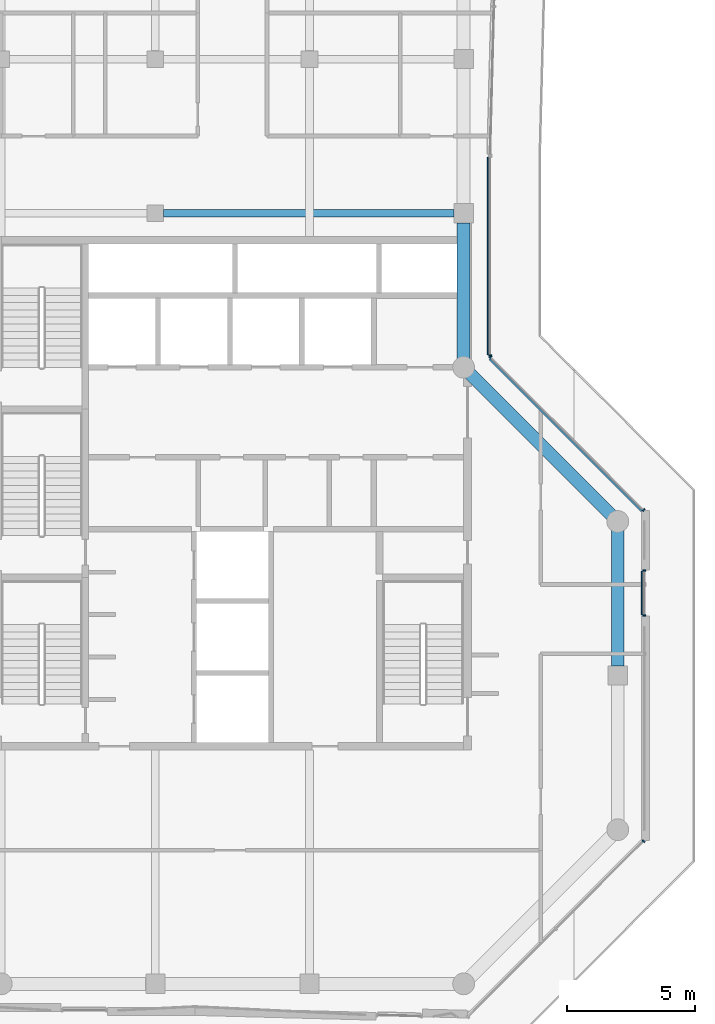
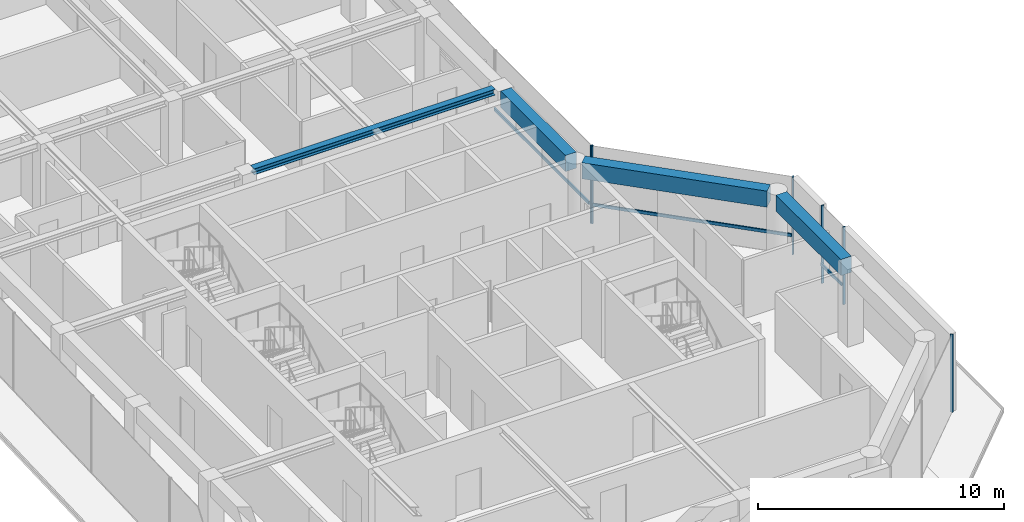
# One storey, part 5 of 18: 9 members, 4 beams, 4 elements without a shape of their own.
"""IFC4 building model written with IfcOpenShell, lengths in metres."""

from ifc_helpers import new_model, si_unit, direction, frame, origin, origin_2d, place, context, subcontext, project, spatial, rectangle, i_section, extrude, material, layer, layer_set, material_profile, profile_set, type_object, element, aggregate, save


model = new_model("IFC4")

# Units and contexts
model_context = context("Model", 3, precision=1e-05, world=origin(), true_north=direction((0.0, 1.0)))
body_context = subcontext(model_context, "Body", "Model", "MODEL_VIEW")
ifc_project = project(units=[si_unit("LENGTHUNIT", "METRE"), si_unit("AREAUNIT", "SQUARE_METRE"), si_unit("VOLUMEUNIT", "CUBIC_METRE"), si_unit("PLANEANGLEUNIT", "RADIAN"), si_unit("MASSUNIT", "GRAM", prefix="KILO")], contexts=[model_context])

# Site, building, storey
site_placement = place(None, origin())
site = spatial("IfcSite", under=ifc_project, at=site_placement, CompositionType="ELEMENT")
building_placement = place(site_placement, origin())
building = spatial("IfcBuilding", under=site, at=building_placement, Name="Welwitschia Terrace Campus", CompositionType="ELEMENT")
storey_placement = place(building_placement, frame((0.0, 0.0, 281.0)))
storey = spatial("IfcBuildingStorey", under=building, at=storey_placement, Name="L62", CompositionType="ELEMENT", Elevation=281.0)

# Beam
ifc_material_1 = material(Name="Steel S355", Category="steel")
ifc_material_profile_1 = material_profile(ifc_material_1, i_section(OverallWidth=0.300048828125, OverallDepth=0.300048828125, WebThickness=0.010986328125, FlangeThickness=0.01904296875, FilletRadius=0.027099609375, at=origin_2d()))
ifc_profile_set_1 = profile_set([ifc_material_profile_1], Name="Steel S355")
beam_type_1 = type_object("IfcBeamType", Name="Interior girder HE 300 B", PredefinedType="BEAM", material=ifc_profile_set_1)
beam_1_placement = place(storey_placement, frame((12.325439453125, 26.0, 3.699951171875), z_axis=(1.0, 0.0, 0.0), x_axis=(0.0, 1.0, 0.0)))
element("IfcBeam", 1, at=beam_1_placement, inside=storey, type_object=beam_type_1, Name="Girder GB6", PredefinedType="BEAM", context=body_context, shape_type="SweptSolid", body=[
    extrude(i_section(OverallWidth=0.300048828125, OverallDepth=0.300048828125, WebThickness=0.010986328125, FlangeThickness=0.01904296875, FilletRadius=0.027099609375, at=origin_2d()), origin(), (0.0, 0.0, 1.0), 11.30908203125),
])

# Curtain wall, member
ifc_material_2 = material(Name="Bronze anodised aluminium", Category="aluminium")
ifc_layer = layer(ifc_material_2, 0.1201171875)
ifc_layer_set = layer_set([ifc_layer], Name="Bronze anodised aluminium")
curtain_wall_type = type_object("IfcCurtainWallType", Name="Curtain wall CW2 tower 6000", PredefinedType="NOTDEFINED", material=ifc_layer_set)
curtain_wall_1_placement = place(storey_placement, origin())
curtain_wall_1 = element("IfcCurtainWall", 2, at=curtain_wall_1_placement, inside=storey, type_object=curtain_wall_type, Name="CW L62.5.0", PredefinedType="NOTDEFINED")
ifc_material_3 = material(Name="Bronze anodised aluminium", Category="aluminium")
ifc_material_profile_2 = material_profile(ifc_material_3, rectangle(XDim=0.1201171875, YDim=0.06005859375, at=origin_2d()))
ifc_profile_set_2 = profile_set([ifc_material_profile_2], Name="Bronze anodised aluminium")
member_type_1 = type_object("IfcMemberType", Name="Mullion 60x120", PredefinedType="MULLION", material=ifc_profile_set_2)
member_1_placement = place(storey_placement, frame((31.0087890625, 1.55224609375, 0.0), z_axis=(0.0, 0.0, 1.0), x_axis=(-0.707106781187, 0.707106781187, 0.0)))
member_1 = element("IfcMember", 3, at=member_1_placement, type_object=member_type_1, Name="Mullion L62.5.0.2", PredefinedType="MULLION", context=body_context, shape_type="SweptSolid", body=[
    extrude(rectangle(XDim=0.1201171875, YDim=0.06005859375, at=origin_2d()), origin(), (0.0, 0.0, 1.0), 3.85009765625),
])
aggregate(curtain_wall_1, [member_1])

# Curtain wall, members
curtain_wall_2_placement = place(storey_placement, origin())
curtain_wall_2 = element("IfcCurtainWall", 4, at=curtain_wall_2_placement, inside=storey, type_object=curtain_wall_type, Name="CW L62.6.S0", PredefinedType="NOTDEFINED")
member_2_placement = place(storey_placement, frame((31.030029296875, 10.34326171875, 0.0), z_axis=(0.0, 0.0, 1.0), x_axis=(-1.0, 0.0, 0.0)))
member_2 = element("IfcMember", 5, at=member_2_placement, type_object=member_type_1, Name="Mullion L62.6.S0.0", PredefinedType="MULLION", context=body_context, shape_type="SweptSolid", body=[
    extrude(rectangle(XDim=0.1201171875, YDim=0.06005859375, at=origin_2d()), origin(), (0.0, 0.0, 1.0), 3.85009765625),
])
member_3_placement = place(storey_placement, frame((31.030029296875, 12.083251953125, 0.0), z_axis=(0.0, 0.0, 1.0), x_axis=(-1.0, 0.0, 0.0)))
member_3 = element("IfcMember", 6, at=member_3_placement, type_object=member_type_1, Name="Mullion L62.6.S0.1", PredefinedType="MULLION", context=body_context, shape_type="SweptSolid", body=[
    extrude(rectangle(XDim=0.1201171875, YDim=0.06005859375, at=origin_2d()), origin(), (0.0, 0.0, 1.0), 3.85009765625),
])

curtain_wall_3_placement = place(storey_placement, origin())
curtain_wall_3 = element("IfcCurtainWall", 7, at=curtain_wall_3_placement, inside=storey, type_object=curtain_wall_type, Name="CW L62.7.0", PredefinedType="NOTDEFINED")
member_4_placement = place(storey_placement, frame((31.0087890625, 14.44775390625, 0.0), z_axis=(0.0, 0.0, 1.0), x_axis=(-0.707106781187, -0.707106781187, 0.0)))
member_4 = element("IfcMember", 8, at=member_4_placement, type_object=member_type_1, Name="Mullion L62.7.0.0", PredefinedType="MULLION", context=body_context, shape_type="SweptSolid", body=[
    extrude(rectangle(XDim=0.1201171875, YDim=0.06005859375, at=origin_2d()), origin(), (0.0, 0.0, 1.0), 3.85009765625),
])
member_5_placement = place(storey_placement, frame((25.05126953125, 20.405517578125, 0.0), z_axis=(0.0, 0.0, 1.0), x_axis=(-0.707106781187, -0.707106781187, 0.0)))
member_5 = element("IfcMember", 9, at=member_5_placement, type_object=member_type_1, Name="Mullion L62.7.0.1", PredefinedType="MULLION", context=body_context, shape_type="SweptSolid", body=[
    extrude(rectangle(XDim=0.1201171875, YDim=0.06005859375, at=origin_2d()), origin(), (0.0, 0.0, 1.0), 3.85009765625),
])

# Curtain wall, member
curtain_wall_4_placement = place(storey_placement, origin())
curtain_wall_4 = element("IfcCurtainWall", 10, at=curtain_wall_4_placement, inside=storey, type_object=curtain_wall_type, Name="CW L62.8.0", PredefinedType="NOTDEFINED")
member_6_placement = place(storey_placement, frame((25.030029296875, 20.45654296875, 0.0), z_axis=(0.0, 0.0, 1.0), x_axis=(-1.0, 0.0, 0.0)))
member_6 = element("IfcMember", 11, at=member_6_placement, type_object=member_type_1, Name="Mullion L62.8.0.0", PredefinedType="MULLION", context=body_context, shape_type="SweptSolid", body=[
    extrude(rectangle(XDim=0.1201171875, YDim=0.06005859375, at=origin_2d()), origin(), (0.0, 0.0, 1.0), 3.85009765625),
])

# Beams
ifc_material_4 = material(Name="Concrete C50/60", Category="concrete")
ifc_material_profile_3 = material_profile(ifc_material_4, rectangle(XDim=0.5, YDim=0.800048828125, at=origin_2d()))
ifc_profile_set_3 = profile_set([ifc_material_profile_3], Name="Concrete C50/60")
beam_type_2 = type_object("IfcBeamType", Name="Ring spandrel 500x800", PredefinedType="SPANDREL", material=ifc_profile_set_3)
beam_2_placement = place(storey_placement, frame((30.0, 8.37548828125, 3.449951171875), z_axis=(0.0, 1.0, 0.0), x_axis=(-1.0, 0.0, 0.0)))
element("IfcBeam", 12, at=beam_2_placement, inside=storey, type_object=beam_type_2, Name="Spandrel SP4", PredefinedType="SPANDREL", context=body_context, shape_type="SweptSolid", body=[
    extrude(rectangle(XDim=0.5, YDim=0.800048828125, at=origin_2d()), origin(), (0.0, 0.0, 1.0), 5.280029296875),
])
beam_3_placement = place(storey_placement, frame((29.75634765625, 14.24365234375, 3.449951171875), z_axis=(-0.707106781187, 0.707106781187, 0.0), x_axis=(-0.707106781187, -0.707106781187, 0.0)))
element("IfcBeam", 13, at=beam_3_placement, inside=storey, type_object=beam_type_2, Name="Spandrel SP4", PredefinedType="SPANDREL", context=body_context, shape_type="SweptSolid", body=[
    extrude(rectangle(XDim=0.5, YDim=0.800048828125, at=origin_2d()), origin(), (0.0, 0.0, 1.0), 7.796142578125),
])
beam_4_placement = place(storey_placement, frame((24.0, 20.344482421875, 3.449951171875), z_axis=(0.0, 1.0, 0.0), x_axis=(-1.0, 0.0, 0.0)))
element("IfcBeam", 14, at=beam_4_placement, inside=storey, type_object=beam_type_2, Name="Spandrel SP4", PredefinedType="SPANDREL", context=body_context, shape_type="SweptSolid", body=[
    extrude(rectangle(XDim=0.5, YDim=0.800048828125, at=origin_2d()), origin(), (0.0, 0.0, 1.0), 5.280029296875),
])

# Member
ifc_material_5 = material(Name="Bronze anodised aluminium", Category="aluminium")
ifc_material_profile_4 = material_profile(ifc_material_5, rectangle(XDim=0.06005859375, YDim=0.14990234375, at=origin_2d()))
ifc_profile_set_4 = profile_set([ifc_material_profile_4], Name="Bronze anodised aluminium")
member_type_2 = type_object("IfcMemberType", Name="Transom 60x150", PredefinedType="USERDEFINED", material=ifc_profile_set_4)
member_7_placement = place(storey_placement, frame((30.93994140625, 10.373291015625, 1.0), z_axis=(0.0, 1.0, 0.0), x_axis=(-1.0, 0.0, 0.0)))
member_7 = element("IfcMember", 15, at=member_7_placement, type_object=member_type_2, Name="Transom L62.6.S0", ObjectType="TRANSOM", PredefinedType="USERDEFINED", context=body_context, shape_type="SweptSolid", body=[
    extrude(rectangle(XDim=0.06005859375, YDim=0.14990234375, at=origin_2d()), origin(), (0.0, 0.0, 1.0), 1.679931640625),
])

aggregate(curtain_wall_2, [member_2, member_3, member_7])

member_8_placement = place(storey_placement, frame((30.923828125, 14.405517578125, 1.0), z_axis=(-0.707106781187, 0.707106781187, 0.0), x_axis=(-0.707106781187, -0.707106781187, 0.0)))
member_8 = element("IfcMember", 16, at=member_8_placement, type_object=member_type_2, Name="Transom L62.7.0", ObjectType="TRANSOM", PredefinedType="USERDEFINED", context=body_context, shape_type="SweptSolid", body=[
    extrude(rectangle(XDim=0.06005859375, YDim=0.14990234375, at=origin_2d()), origin(), (0.0, 0.0, 1.0), 8.365234375),
])

aggregate(curtain_wall_3, [member_4, member_5, member_8])

member_9_placement = place(storey_placement, frame((24.93994140625, 20.486572265625, 1.0), z_axis=(0.0, 1.0, 0.0), x_axis=(-1.0, 0.0, 0.0)))
member_9 = element("IfcMember", 17, at=member_9_placement, type_object=member_type_2, Name="Transom L62.8.0", ObjectType="TRANSOM", PredefinedType="USERDEFINED", context=body_context, shape_type="SweptSolid", body=[
    extrude(rectangle(XDim=0.06005859375, YDim=0.14990234375, at=origin_2d()), origin(), (0.0, 0.0, 1.0), 7.69677734375),
])

aggregate(curtain_wall_4, [member_6, member_9])

save(model, "model.ifc")
